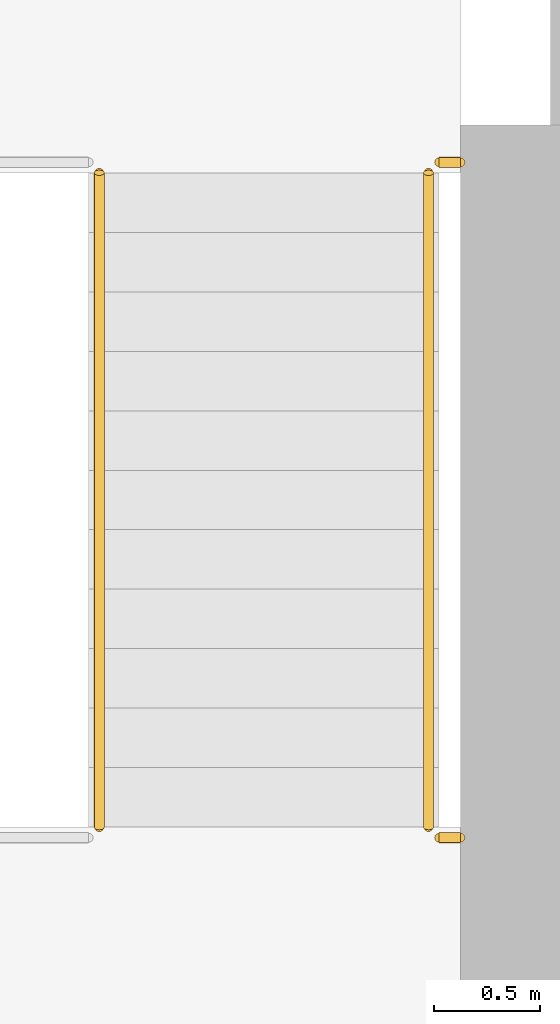
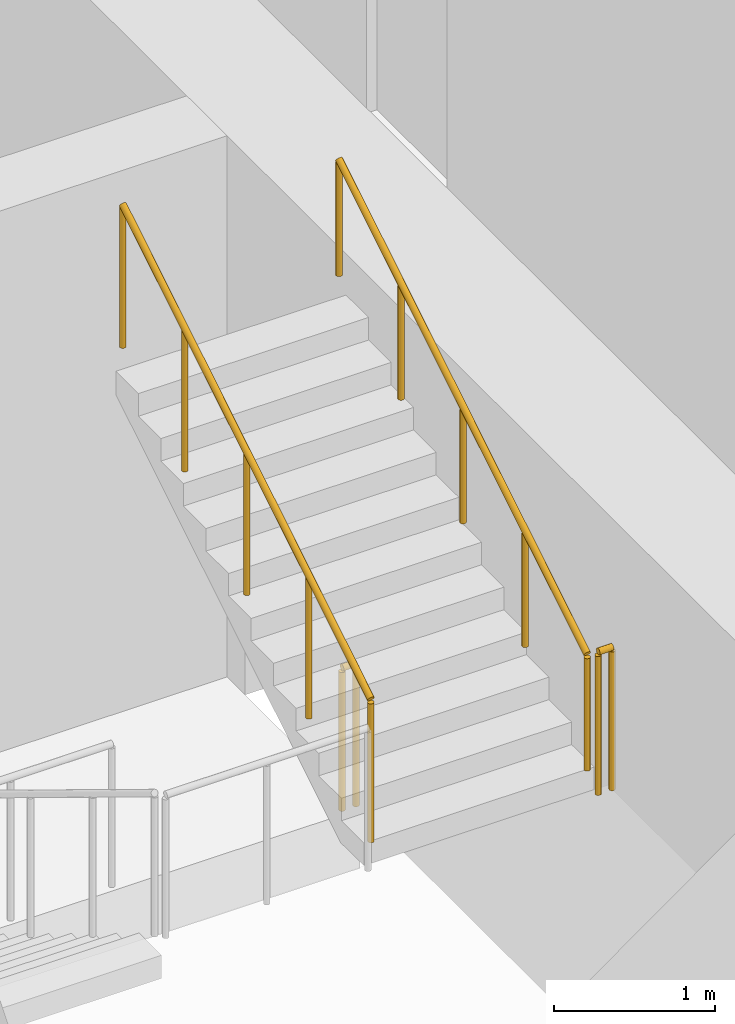
# One storey, part 12 of 17: 4 railings.
"""IFC4 building model written with IfcOpenShell, lengths in metres."""

from ifc_helpers import new_model, si_unit, direction, frame, origin, origin_2d, place, context, subcontext, project, spatial, circle, extrude, material, type_object, element, save


model = new_model("IFC4")

# Units and contexts
model_context = context("Model", 3, precision=1e-05, world=origin(), true_north=direction((0.0, 1.0)))
body_context = subcontext(model_context, "Body", "Model", "MODEL_VIEW")
ifc_project = project(units=[si_unit("LENGTHUNIT", "METRE"), si_unit("AREAUNIT", "SQUARE_METRE"), si_unit("VOLUMEUNIT", "CUBIC_METRE"), si_unit("PLANEANGLEUNIT", "RADIAN"), si_unit("MASSUNIT", "GRAM", prefix="KILO")], contexts=[model_context])

# Site, building, storey
site_placement = place(None, origin())
site = spatial("IfcSite", under=ifc_project, at=site_placement, CompositionType="ELEMENT")
building_placement = place(site_placement, origin())
building = spatial("IfcBuilding", under=site, at=building_placement, Name="Corbel Stack Research Tower", CompositionType="ELEMENT")
storey_placement = place(building_placement, frame((0.0, 0.0, 86.10009765625)))
storey = spatial("IfcBuildingStorey", under=building, at=storey_placement, Name="L19", CompositionType="ELEMENT", Elevation=86.10009765625)

# Railings
ifc_material_1 = material(Name="Steel S355", Category="steel")
railing_type_1 = type_object("IfcRailingType", Name="Stair guard 1100", PredefinedType="GUARDRAIL", material=ifc_material_1)
railing_1_placement = place(storey_placement, frame((17.0, -5.530029296875, 2.0498046875)))
element("IfcRailing", 1, at=railing_1_placement, inside=storey, type_object=railing_type_1, Name="L19 ST-E1 stair guard 3", PredefinedType="GUARDRAIL", context=body_context, shape_type="SweptSolid", body=[
    extrude(circle(Radius=0.02392578125, at=origin_2d()), frame((0.0, 0.0, 1.076171875), z_axis=(1.0, 0.0, 0.0), x_axis=(0.0, 1.0, 0.0)), (0.0, 0.0, 1.0), 0.10009765625),
    extrude(circle(Radius=0.02099609375, at=origin_2d()), origin(), (0.0, 0.0, 1.0), 1.052001953125),
    extrude(circle(Radius=0.02099609375, at=origin_2d()), frame((0.10009765625, 0.0, 0.0)), (0.0, 0.0, 1.0), 1.052001953125),
])
railing_2_placement = place(storey_placement, frame((15.39990234375, -5.47998046875, 2.220703125)))
element("IfcRailing", 2, at=railing_2_placement, inside=storey, type_object=railing_type_1, Name="L19 ST-E1 stair guard 4", PredefinedType="GUARDRAIL", context=body_context, shape_type="SweptSolid", body=[
    extrude(circle(Radius=0.02392578125, at=origin_2d()), frame((0.0, 0.0, 1.076171875), z_axis=(0.0, 0.853666305674, 0.52082035152), x_axis=(-1.0, 0.0, 0.0)), (0.0, 0.0, 1.0), 3.608154296875),
    extrude(circle(Radius=0.02099609375, at=origin_2d()), origin(), (0.0, 0.0, 1.0), 1.052001953125),
    extrude(circle(Radius=0.02099609375, at=origin_2d()), frame((0.0, 0.77001953125, 0.4697265625)), (0.0, 0.0, 1.0), 1.052001953125),
    extrude(circle(Radius=0.02099609375, at=origin_2d()), frame((0.0, 1.5400390625, 0.939453125)), (0.0, 0.0, 1.0), 1.052001953125),
    extrude(circle(Radius=0.02099609375, at=origin_2d()), frame((0.0, 2.31005859375, 1.409423828125)), (0.0, 0.0, 1.0), 1.052001953125),
    extrude(circle(Radius=0.02099609375, at=origin_2d()), frame((0.0, 3.080078125, 1.879150390625)), (0.0, 0.0, 1.0), 1.052001953125),
])
railing_3_placement = place(storey_placement, frame((17.0, -2.35009765625, 0.0)))
element("IfcRailing", 3, at=railing_3_placement, inside=storey, type_object=railing_type_1, Name="L19 ST-E1 stair guard 6", PredefinedType="GUARDRAIL", context=body_context, shape_type="SweptSolid", body=[
    extrude(circle(Radius=0.02392578125, at=origin_2d()), frame((0.0, 0.0, 1.076171875), z_axis=(1.0, 0.0, 0.0), x_axis=(0.0, 1.0, 0.0)), (0.0, 0.0, 1.0), 0.10009765625),
    extrude(circle(Radius=0.02099609375, at=origin_2d()), origin(), (0.0, 0.0, 1.0), 1.052001953125),
    extrude(circle(Radius=0.02099609375, at=origin_2d()), frame((0.10009765625, 0.0, 0.0)), (0.0, 0.0, 1.0), 1.052001953125),
])
ifc_material_2 = material(Name="Steel S355", Category="steel")
railing_type_2 = type_object("IfcRailingType", Name="Stair handrail 900", PredefinedType="HANDRAIL", material=ifc_material_2)
railing_4_placement = place(storey_placement, frame((16.949951171875, -5.47998046875, 2.220703125)))
element("IfcRailing", 4, at=railing_4_placement, inside=storey, type_object=railing_type_2, Name="L19 ST-E1 stair handrail 2", PredefinedType="HANDRAIL", context=body_context, shape_type="SweptSolid", body=[
    extrude(circle(Radius=0.02392578125, at=origin_2d()), frame((0.0, 0.0, 0.8759765625), z_axis=(0.0, 0.853666305674, 0.52082035152), x_axis=(-1.0, 0.0, 0.0)), (0.0, 0.0, 1.0), 3.608154296875),
    extrude(circle(Radius=0.02099609375, at=origin_2d()), origin(), (0.0, 0.0, 1.0), 0.851806640625),
    extrude(circle(Radius=0.02099609375, at=origin_2d()), frame((0.0, 0.77001953125, 0.4697265625)), (0.0, 0.0, 1.0), 0.851806640625),
    extrude(circle(Radius=0.02099609375, at=origin_2d()), frame((0.0, 1.5400390625, 0.939453125)), (0.0, 0.0, 1.0), 0.851806640625),
    extrude(circle(Radius=0.02099609375, at=origin_2d()), frame((0.0, 2.31005859375, 1.409423828125)), (0.0, 0.0, 1.0), 0.851806640625),
    extrude(circle(Radius=0.02099609375, at=origin_2d()), frame((0.0, 3.080078125, 1.879150390625)), (0.0, 0.0, 1.0), 0.851806640625),
])

save(model, "model.ifc")
